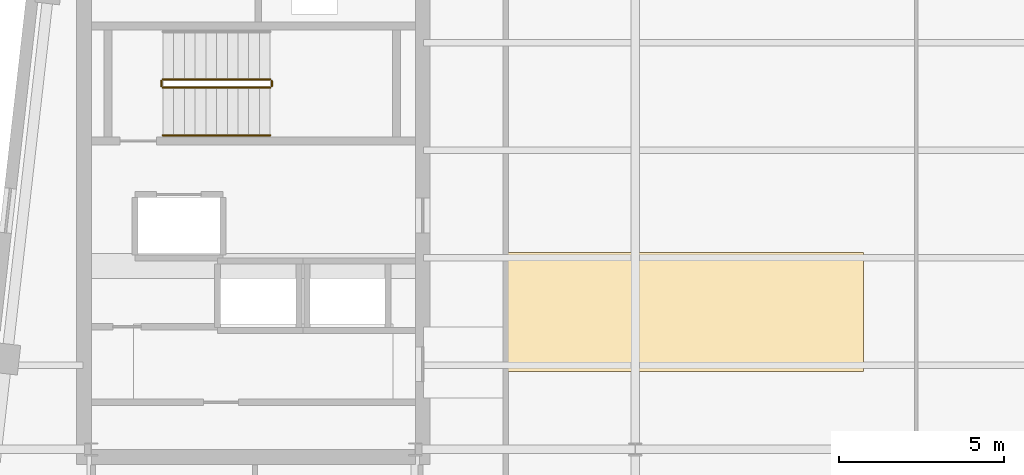
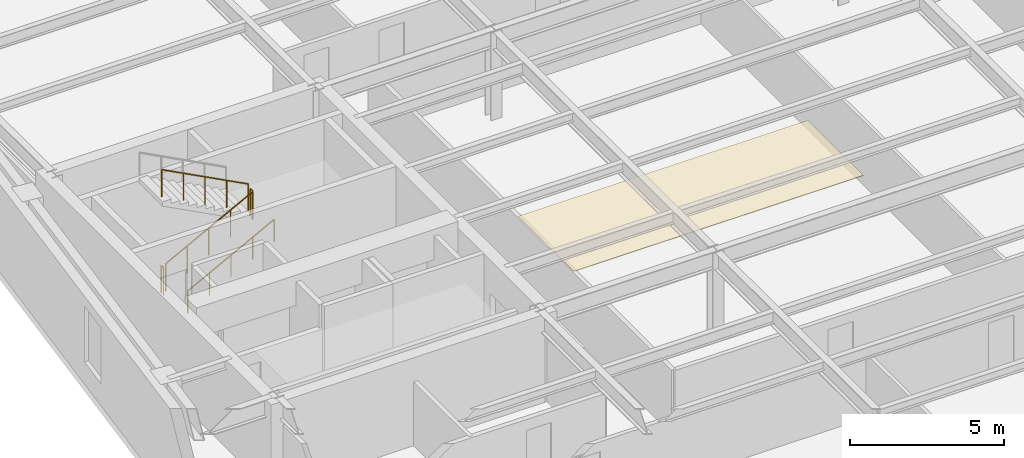
# One storey, part 11 of 13: 5 railings, 1 covering.
"""IFC4 building model written with IfcOpenShell, lengths in metres."""

from ifc_helpers import new_model, si_unit, direction, frame, origin, origin_2d, place, context, subcontext, project, spatial, polyline, circle, outline, extrude, material, layer, layer_set, type_object, element, save


model = new_model("IFC4")

# Units and contexts
model_context = context("Model", 3, precision=1e-05, world=origin(), true_north=direction((0.0, 1.0)))
body_context = subcontext(model_context, "Body", "Model", "MODEL_VIEW")
ifc_project = project(units=[si_unit("LENGTHUNIT", "METRE"), si_unit("AREAUNIT", "SQUARE_METRE"), si_unit("VOLUMEUNIT", "CUBIC_METRE"), si_unit("PLANEANGLEUNIT", "RADIAN"), si_unit("MASSUNIT", "GRAM", prefix="KILO")], contexts=[model_context])

# Site, building, storey
site_placement = place(None, origin())
site = spatial("IfcSite", under=ifc_project, at=site_placement, CompositionType="ELEMENT")
building_placement = place(site_placement, origin())
building = spatial("IfcBuilding", under=site, at=building_placement, Name="Kolvaren Arena Tower", CompositionType="ELEMENT")
storey_placement = place(building_placement, frame((0.0, 0.0, 239.699951171875)))
storey = spatial("IfcBuildingStorey", under=building, at=storey_placement, Name="L58", CompositionType="ELEMENT", Elevation=239.699951171875)

# Covering
ifc_material_1 = material(Name="Mineral fibre acoustic ceiling tile", Category="gypsum")
ifc_layer = layer(ifc_material_1, 0.02490234375)
ifc_layer_set = layer_set([ifc_layer], Name="Mineral fibre acoustic ceiling tile")
covering_type = type_object("IfcCoveringType", Name="CEIL-ACT-1", PredefinedType="CEILING", material=ifc_layer_set)
covering_placement = place(storey_placement, frame((0.0, 0.0, 2.52001953125)))
element("IfcCovering", 1, at=covering_placement, inside=storey, type_object=covering_type, Name="Suspended Ceiling (L58)", PredefinedType="CEILING", context=body_context, shape_type="SweptSolid", body=[
    extrude(outline(polyline([(27.050048828125, 21.800048828125), (27.050048828125, 25.39990234375), (37.89990234375, 25.39990234375), (37.89990234375, 21.800048828125), (27.050048828125, 21.800048828125)])), origin(), (0.0, 0.0, 1.0), 0.025146484375),
])

# Railings
ifc_material_2 = material(Name="Painted galvanized steel", Category="steel")
railing_type_1 = type_object("IfcRailingType", Name="GUARD-ST-110", PredefinedType="GUARDRAIL", material=ifc_material_2)
railing_1_placement = place(storey_placement, frame((16.719970703125, 30.389892578125, 0.17041015625)))
element("IfcRailing", 2, at=railing_1_placement, inside=storey, type_object=railing_type_1, Name="L58 ST-W1 stair guard 1", PredefinedType="GUARDRAIL", context=body_context, shape_type="SweptSolid", body=[
    extrude(circle(Radius=0.02392578125, at=origin_2d()), frame((0.0, 0.0, 1.076171875), z_axis=(0.884993431791, 0.0, 0.465603506952), x_axis=(0.0, 1.0, 0.0)), (0.0, 0.0, 1.0), 3.6611328125),
    extrude(circle(Radius=0.02099609375, at=origin_2d()), origin(), (0.0, 0.0, 1.0), 1.052001953125),
    extrude(circle(Radius=0.02099609375, at=origin_2d()), frame((0.81005859375, 0.0, 0.42626953125)), (0.0, 0.0, 1.0), 1.052001953125),
    extrude(circle(Radius=0.02099609375, at=origin_2d()), frame((1.6201171875, 0.0, 0.852294921875)), (0.0, 0.0, 1.0), 1.052001953125),
    extrude(circle(Radius=0.02099609375, at=origin_2d()), frame((2.429931640625, 0.0, 1.2783203125)), (0.0, 0.0, 1.0), 1.052001953125),
    extrude(circle(Radius=0.02099609375, at=origin_2d()), frame((3.239990234375, 0.0, 1.70458984375)), (0.0, 0.0, 1.0), 1.052001953125),
])
railing_2_placement = place(storey_placement, frame((20.010009765625, 30.43994140625, 1.875)))
element("IfcRailing", 3, at=railing_2_placement, inside=storey, type_object=railing_type_1, Name="L58 ST-W1 stair guard 2", PredefinedType="GUARDRAIL", context=body_context, shape_type="SweptSolid", body=[
    extrude(circle(Radius=0.02392578125, at=origin_2d()), frame((0.0, 0.0, 1.076171875), z_axis=(0.0, 1.0, 0.0), x_axis=(-1.0, 0.0, 0.0)), (0.0, 0.0, 1.0), 0.150146484375),
    extrude(circle(Radius=0.02099609375, at=origin_2d()), origin(), (0.0, 0.0, 1.0), 1.052001953125),
    extrude(circle(Radius=0.02099609375, at=origin_2d()), frame((0.0, 0.150146484375, 0.0)), (0.0, 0.0, 1.0), 1.052001953125),
])
railing_3_placement = place(storey_placement, frame((19.9599609375, 30.639892578125, 2.04541015625)))
element("IfcRailing", 4, at=railing_3_placement, inside=storey, type_object=railing_type_1, Name="L58 ST-W1 stair guard 3", PredefinedType="GUARDRAIL", context=body_context, shape_type="SweptSolid", body=[
    extrude(circle(Radius=0.02392578125, at=origin_2d()), frame((0.0, 0.0, 1.076171875), z_axis=(-0.884993431791, 0.0, 0.465603506952), x_axis=(0.0, -1.0, 0.0)), (0.0, 0.0, 1.0), 3.6611328125),
    extrude(circle(Radius=0.02099609375, at=origin_2d()), origin(), (0.0, 0.0, 1.0), 1.052001953125),
    extrude(circle(Radius=0.02099609375, at=origin_2d()), frame((-0.81005859375, 0.0, 0.42626953125)), (0.0, 0.0, 1.0), 1.052001953125),
    extrude(circle(Radius=0.02099609375, at=origin_2d()), frame((-1.6201171875, 0.0, 0.852294921875)), (0.0, 0.0, 1.0), 1.052001953125),
    extrude(circle(Radius=0.02099609375, at=origin_2d()), frame((-2.429931640625, 0.0, 1.2783203125)), (0.0, 0.0, 1.0), 1.052001953125),
    extrude(circle(Radius=0.02099609375, at=origin_2d()), frame((-3.239990234375, 0.0, 1.70458984375)), (0.0, 0.0, 1.0), 1.052001953125),
])
railing_4_placement = place(storey_placement, frame((16.669921875, 30.43994140625, 0.0)))
element("IfcRailing", 5, at=railing_4_placement, inside=storey, type_object=railing_type_1, Name="L58 ST-W1 stair guard 4", PredefinedType="GUARDRAIL", context=body_context, shape_type="SweptSolid", body=[
    extrude(circle(Radius=0.02392578125, at=origin_2d()), frame((0.0, 0.0, 1.076171875), z_axis=(0.0, 1.0, 0.0), x_axis=(-1.0, 0.0, 0.0)), (0.0, 0.0, 1.0), 0.150146484375),
    extrude(circle(Radius=0.02099609375, at=origin_2d()), origin(), (0.0, 0.0, 1.0), 1.052001953125),
    extrude(circle(Radius=0.02099609375, at=origin_2d()), frame((0.0, 0.150146484375, 0.0)), (0.0, 0.0, 1.0), 1.052001953125),
])
ifc_material_3 = material(Name="Brushed stainless steel handrail", Category="steel")
railing_type_2 = type_object("IfcRailingType", Name="HRAIL-900", PredefinedType="HANDRAIL", material=ifc_material_3)
railing_5_placement = place(storey_placement, frame((16.719970703125, 28.949951171875, 0.17041015625)))
element("IfcRailing", 6, at=railing_5_placement, inside=storey, type_object=railing_type_2, Name="L58 ST-W1 stair handrail 1", PredefinedType="HANDRAIL", context=body_context, shape_type="SweptSolid", body=[
    extrude(circle(Radius=0.02392578125, at=origin_2d()), frame((0.0, 0.0, 0.8759765625), z_axis=(0.884993431791, 0.0, 0.465603506952), x_axis=(0.0, 1.0, 0.0)), (0.0, 0.0, 1.0), 3.6611328125),
    extrude(circle(Radius=0.02099609375, at=origin_2d()), origin(), (0.0, 0.0, 1.0), 0.851806640625),
    extrude(circle(Radius=0.02099609375, at=origin_2d()), frame((0.81005859375, 0.0, 0.42626953125)), (0.0, 0.0, 1.0), 0.851806640625),
    extrude(circle(Radius=0.02099609375, at=origin_2d()), frame((1.6201171875, 0.0, 0.852294921875)), (0.0, 0.0, 1.0), 0.851806640625),
    extrude(circle(Radius=0.02099609375, at=origin_2d()), frame((2.429931640625, 0.0, 1.2783203125)), (0.0, 0.0, 1.0), 0.851806640625),
    extrude(circle(Radius=0.02099609375, at=origin_2d()), frame((3.239990234375, 0.0, 1.70458984375)), (0.0, 0.0, 1.0), 0.851806640625),
])

save(model, "model.ifc")
